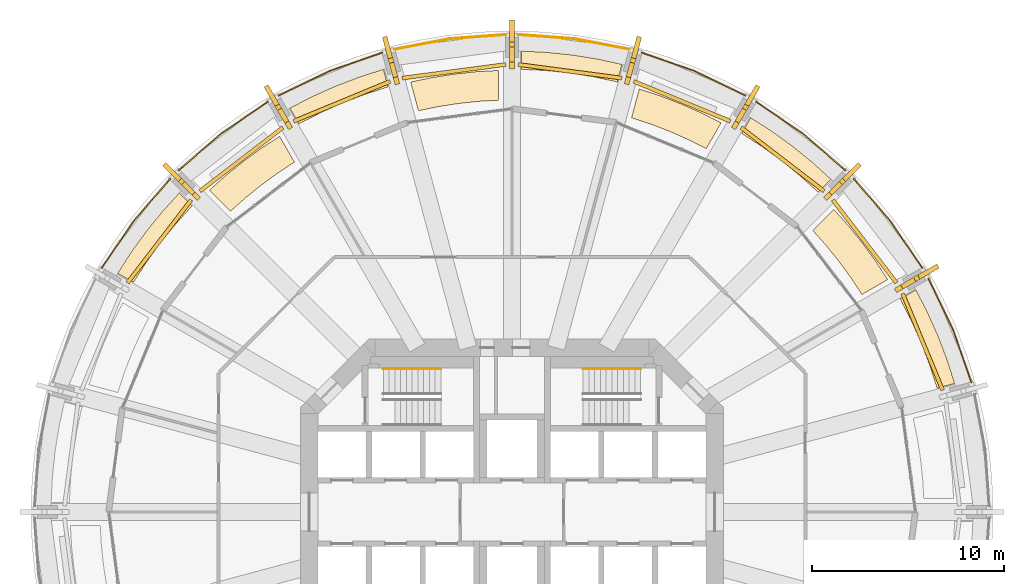
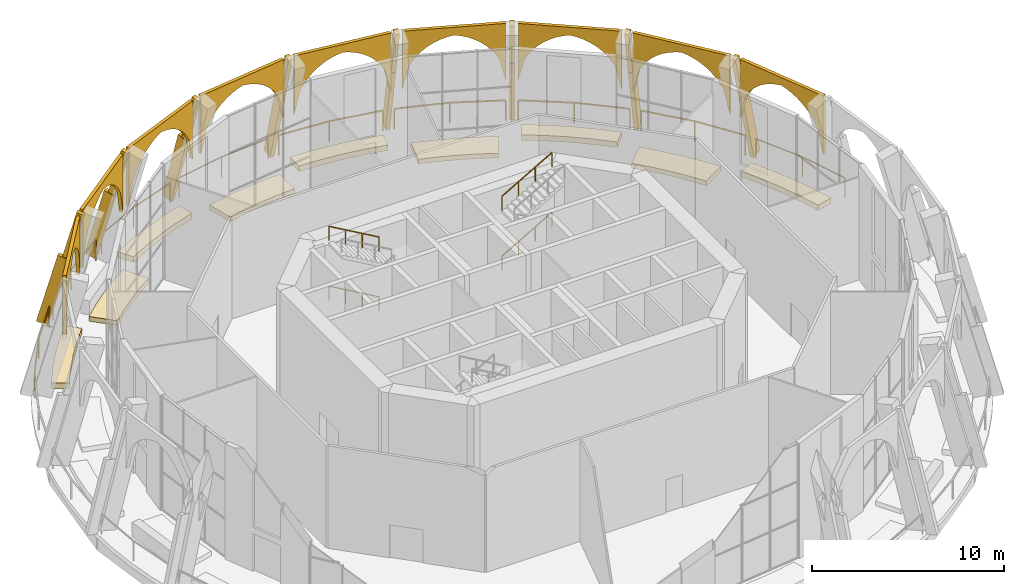
# One storey, part 18 of 18: 34 coverings, 13 railings.
"""IFC4 building model written with IfcOpenShell, lengths in metres."""

from ifc_helpers import new_model, si_unit, direction, frame, origin, origin_2d, place, context, subcontext, project, spatial, polyline, rectangle, outline, extrude, material, layer, layer_set, material_profile, profile_set, type_object, element, save


model = new_model("IFC4")

# Units and contexts
model_context = context("Model", 3, precision=1e-05, world=origin(), true_north=direction((0.0, 1.0)))
body_context = subcontext(model_context, "Body", "Model", "MODEL_VIEW")
ifc_project = project(units=[si_unit("LENGTHUNIT", "METRE"), si_unit("AREAUNIT", "SQUARE_METRE"), si_unit("VOLUMEUNIT", "CUBIC_METRE"), si_unit("PLANEANGLEUNIT", "RADIAN"), si_unit("MASSUNIT", "GRAM", prefix="KILO")], contexts=[model_context])

# Site, building, storey
site_placement = place(None, origin())
site = spatial("IfcSite", under=ifc_project, at=site_placement, CompositionType="ELEMENT")
building_placement = place(site_placement, origin())
building = spatial("IfcBuilding", under=site, at=building_placement, Name="Torre Triforio", CompositionType="ELEMENT")
storey_placement = place(building_placement, frame((0.0, 0.0, 146.60009765625)))
storey = spatial("IfcBuildingStorey", under=building, at=storey_placement, Name="L33", CompositionType="ELEMENT", Elevation=146.60009765625)

# Railings
ifc_material_1 = material(Name="Stainless steel AISI 316", Category="steel")
railing_type_1 = type_object("IfcRailingType", Name="HANDRAIL 920", PredefinedType="HANDRAIL", material=ifc_material_1)
for number, where, name in (
    (1, (-3.699951171875, 7.449951171875, 2.072509765625), "Handrail ST1"),
    (2, (-3.699951171875, 7.449951171875, 5.87255859375), "Handrail ST1"),
):
    element("IfcRailing", number, at=place(storey_placement, frame(where)), inside=storey, type_object=railing_type_1, Name=name, PredefinedType="HANDRAIL", context=body_context, shape_type="SweptSolid", body=[
        extrude(rectangle(XDim=0.048095703125, YDim=0.048095703125, at=origin_2d()), frame((0.0, 0.0, 0.89599609375), z_axis=(-0.866619684472, 0.0, 0.498969260062), x_axis=(0.0, -1.0, 0.0)), (0.0, 0.0, 1.0), 3.461669921875),
        extrude(rectangle(XDim=0.0419921875, YDim=0.0419921875, at=origin_2d()), origin(), (0.0, 0.0, 1.0), 0.871826171875),
        extrude(rectangle(XDim=0.0419921875, YDim=0.0419921875, at=origin_2d()), frame((-1.0, 0.0, 0.57568359375)), (0.0, 0.0, 1.0), 0.871826171875),
        extrude(rectangle(XDim=0.0419921875, YDim=0.0419921875, at=origin_2d()), frame((-2.0, 0.0, 1.151611328125)), (0.0, 0.0, 1.0), 0.871826171875),
        extrude(rectangle(XDim=0.0419921875, YDim=0.0419921875, at=origin_2d()), frame((-3.0, 0.0, 1.727294921875)), (0.0, 0.0, 1.0), 0.871826171875),
    ])
for number, where, name in (
    (3, (3.699951171875, 7.449951171875, 2.072509765625), "Handrail ST2"),
    (4, (3.699951171875, 7.449951171875, 5.87255859375), "Handrail ST2"),
):
    element("IfcRailing", number, at=place(storey_placement, frame(where)), inside=storey, type_object=railing_type_1, Name=name, PredefinedType="HANDRAIL", context=body_context, shape_type="SweptSolid", body=[
        extrude(rectangle(XDim=0.048095703125, YDim=0.048095703125, at=origin_2d()), frame((0.0, 0.0, 0.89599609375), z_axis=(0.866619684472, 0.0, 0.498969260062), x_axis=(0.0, 1.0, 0.0)), (0.0, 0.0, 1.0), 3.461669921875),
        extrude(rectangle(XDim=0.0419921875, YDim=0.0419921875, at=origin_2d()), origin(), (0.0, 0.0, 1.0), 0.871826171875),
        extrude(rectangle(XDim=0.0419921875, YDim=0.0419921875, at=origin_2d()), frame((1.0, 0.0, 0.57568359375)), (0.0, 0.0, 1.0), 0.871826171875),
        extrude(rectangle(XDim=0.0419921875, YDim=0.0419921875, at=origin_2d()), frame((2.0, 0.0, 1.151611328125)), (0.0, 0.0, 1.0), 0.871826171875),
        extrude(rectangle(XDim=0.0419921875, YDim=0.0419921875, at=origin_2d()), frame((3.0, 0.0, 1.727294921875)), (0.0, 0.0, 1.0), 0.871826171875),
    ])

# Coverings
ifc_material_2 = material(Name="Limestone arch panel", Category="masonry")
ifc_layer_1 = layer(ifc_material_2, 0.199951171875)
ifc_layer_set_1 = layer_set([ifc_layer_1], Name="Limestone arch panel")
covering_type_1 = type_object("IfcCoveringType", Name="Lancet arch cladding panel 200", PredefinedType="CLADDING", material=ifc_layer_set_1)
for number, where, z_axis, x_axis, name in (
    (5, (21.288330078125, 8.818115234375, 0.0), (0.924120904221, 0.382100188932, 0.0), (-0.382100188932, 0.924120904221, 0.0), "Lancet arch panel L33 bay 02"),
    (6, (18.28076171875, 14.02734375, 0.0), (0.793213368033, 0.608943800998, 0.0), (-0.608943800998, 0.793213368033, 0.0), "Lancet arch panel L33 bay 03"),
    (7, (14.02734375, 18.28076171875, 0.0), (0.608943800998, 0.793213368033, 0.0), (-0.793213368033, 0.608943800998, 0.0), "Lancet arch panel L33 bay 04"),
    (8, (8.818115234375, 21.288330078125, 0.0), (0.382100188932, 0.924120904221, 0.0), (-0.924120904221, 0.382100188932, 0.0), "Lancet arch panel L33 bay 05"),
):
    element("IfcCovering", number, at=place(storey_placement, frame(where, z_axis=z_axis, x_axis=x_axis)), inside=storey, type_object=covering_type_1, Name=name, PredefinedType="CLADDING", context=body_context, shape_type="SweptSolid", body=[
        extrude(outline(polyline([(-2.72412109375, 7.320068359375), (-2.72412109375, 3.605712890625), (-2.383544921875, 5.055908203125), (-2.04296875, 5.59912109375), (-1.702392578125, 5.97509765625), (-1.362060546875, 6.25537109375), (-1.021484375, 6.468505859375), (-0.680908203125, 6.62890625), (-0.340576171875, 6.744384765625), (0.0, 6.820068359375), (0.340576171875, 6.744384765625), (0.680908203125, 6.62890625), (1.021484375, 6.468505859375), (1.362060546875, 6.25537109375), (1.702392578125, 5.97509765625), (2.04296875, 5.59912109375), (2.383544921875, 5.055908203125), (2.72412109375, 3.605712890625), (2.72412109375, 7.320068359375), (-2.72412109375, 7.320068359375)])), origin(), (0.0, 0.0, 1.0), 0.199951171875),
    ])
for number, where, z_axis, x_axis, name in (
    (9, (3.007568359375, 22.84521484375, 0.0), (0.130486058348, 0.991450144272, 0.0), (-0.991450144272, 0.130486058348, 0.0), "Lancet arch panel L33 bay 06"),
    (10, (-3.007568359375, 22.84521484375, 0.0), (-0.130486058348, 0.991450144272, 0.0), (-0.991450144272, -0.130486058348, 0.0), "Lancet arch panel L33 bay 07"),
):
    element("IfcCovering", number, at=place(storey_placement, frame(where, z_axis=z_axis, x_axis=x_axis)), inside=storey, type_object=covering_type_1, Name=name, PredefinedType="CLADDING", context=body_context, shape_type="SweptSolid", body=[
        extrude(outline(polyline([(-2.72412109375, 7.320068359375), (-2.72412109375, 3.605712890625), (-2.383544921875, 5.055908203125), (-2.04296875, 5.59912109375), (-1.702392578125, 5.97509765625), (-1.362060546875, 6.25537109375), (-1.021484375, 6.468505859375), (-0.680908203125, 6.62890625), (-0.340576171875, 6.744384765625), (0.0, 6.820068359375), (0.340576171875, 6.744384765625), (0.680908203125, 6.62890625), (1.021484375, 6.468505859375), (1.362060546875, 6.25537109375), (1.702392578125, 5.97509765625), (2.04296875, 5.59912109375), (2.383544921875, 5.055908203125), (2.72412109375, 3.605712890625), (2.72412109375, 7.320068359375), (-2.72412109375, 7.320068359375)])), origin(), (0.0, 0.0, 1.0), 0.2001953125),
    ])
for number, where, z_axis, x_axis, name in (
    (11, (-8.818115234375, 21.288330078125, 0.0), (-0.382100188932, 0.924120904221, 0.0), (-0.924120904221, -0.382100188932, 0.0), "Lancet arch panel L33 bay 08"),
    (12, (-14.02734375, 18.28076171875, 0.0), (-0.608943800998, 0.793213368033, 0.0), (-0.793213368033, -0.608943800998, 0.0), "Lancet arch panel L33 bay 09"),
    (13, (-18.28076171875, 14.02734375, 0.0), (-0.793213368033, 0.608943800998, 0.0), (-0.608943800998, -0.793213368033, 0.0), "Lancet arch panel L33 bay 10"),
):
    element("IfcCovering", number, at=place(storey_placement, frame(where, z_axis=z_axis, x_axis=x_axis)), inside=storey, type_object=covering_type_1, Name=name, PredefinedType="CLADDING", context=body_context, shape_type="SweptSolid", body=[
        extrude(outline(polyline([(-2.72412109375, 7.320068359375), (-2.72412109375, 3.605712890625), (-2.383544921875, 5.055908203125), (-2.04296875, 5.59912109375), (-1.702392578125, 5.97509765625), (-1.362060546875, 6.25537109375), (-1.021484375, 6.468505859375), (-0.680908203125, 6.62890625), (-0.340576171875, 6.744384765625), (0.0, 6.820068359375), (0.340576171875, 6.744384765625), (0.680908203125, 6.62890625), (1.021484375, 6.468505859375), (1.362060546875, 6.25537109375), (1.702392578125, 5.97509765625), (2.04296875, 5.59912109375), (2.383544921875, 5.055908203125), (2.72412109375, 3.605712890625), (2.72412109375, 7.320068359375), (-2.72412109375, 7.320068359375)])), origin(), (0.0, 0.0, 1.0), 0.199951171875),
    ])

# Railings
railing_type_2 = type_object("IfcRailingType", Name="Loggia guard 1300", PredefinedType="GUARDRAIL", material=ifc_material_1)
railing_1_placement = place(storey_placement, frame((23.92041015625, 6.74072265625, 0.0)))
element("IfcRailing", 14, at=railing_1_placement, inside=storey, type_object=railing_type_2, Name="Loggia guard L33 bay 02", PredefinedType="GUARDRAIL", context=body_context, shape_type="SweptSolid", body=[
    extrude(rectangle(XDim=0.050048828125, YDim=0.050048828125, at=origin_2d()), frame((0.0, 0.0, 1.27490234375), z_axis=(-0.328145883403, 0.944627058264, 0.0), x_axis=(-0.944627058264, -0.328145883403, 0.0)), (0.0, 0.0, 1.0), 2.931396484375),
    extrude(rectangle(XDim=0.050048828125, YDim=0.050048828125, at=origin_2d()), frame((-0.9619140625, 2.76904296875, 1.27490234375), z_axis=(-0.435917913275, 0.899986429279, 0.0), x_axis=(-0.899986429279, -0.435917913275, 0.0)), (0.0, 0.0, 1.0), 2.931396484375),
    extrude(rectangle(XDim=0.0400390625, YDim=0.0400390625, at=origin_2d()), origin(), (0.0, 0.0, 1.0), 1.25),
    extrude(rectangle(XDim=0.0400390625, YDim=0.0400390625, at=origin_2d()), frame((-0.9619140625, 2.76904296875, 0.0)), (0.0, 0.0, 1.0), 1.25),
    extrude(rectangle(XDim=0.0400390625, YDim=0.0400390625, at=origin_2d()), frame((-2.23974609375, 5.4072265625, 0.0)), (0.0, 0.0, 1.0), 1.25),
])
railing_2_placement = place(storey_placement, frame((21.360595703125, 12.7021484375, 0.0)))
element("IfcRailing", 15, at=railing_2_placement, inside=storey, type_object=railing_type_2, Name="Loggia guard L33 bay 03", PredefinedType="GUARDRAIL", context=body_context, shape_type="SweptSolid", body=[
    extrude(rectangle(XDim=0.050048828125, YDim=0.050048828125, at=origin_2d()), frame((0.0, 0.0, 1.27490234375), z_axis=(-0.561466791934, 0.827499269821, 0.0), x_axis=(-0.827499269821, -0.561466791934, 0.0)), (0.0, 0.0, 1.0), 2.93115234375),
    extrude(rectangle(XDim=0.050048828125, YDim=0.050048828125, at=origin_2d()), frame((-1.645751953125, 2.425537109375, 1.27490234375), z_axis=(-0.653981928353, 0.756510170049, 0.0), x_axis=(-0.756510170049, -0.653981928353, 0.0)), (0.0, 0.0, 1.0), 2.93115234375),
    extrude(rectangle(XDim=0.0400390625, YDim=0.0400390625, at=origin_2d()), origin(), (0.0, 0.0, 1.0), 1.25),
    extrude(rectangle(XDim=0.0400390625, YDim=0.0400390625, at=origin_2d()), frame((-1.645751953125, 2.425537109375, 0.0)), (0.0, 0.0, 1.0), 1.25),
    extrude(rectangle(XDim=0.0400390625, YDim=0.0400390625, at=origin_2d()), frame((-3.562744140625, 4.64306640625, 0.0)), (0.0, 0.0, 1.0), 1.25),
])
railing_3_placement = place(storey_placement, frame((17.34521484375, 17.7978515625, 0.0)))
element("IfcRailing", 16, at=railing_3_placement, inside=storey, type_object=railing_type_2, Name="Loggia guard L33 bay 04", PredefinedType="GUARDRAIL", context=body_context, shape_type="SweptSolid", body=[
    extrude(rectangle(XDim=0.050048828125, YDim=0.050048828125, at=origin_2d()), frame((0.0, 0.0, 1.27490234375), z_axis=(-0.756510170049, 0.653981928353, 0.0), x_axis=(-0.653981928353, -0.756510170049, 0.0)), (0.0, 0.0, 1.0), 2.93115234375),
    extrude(rectangle(XDim=0.050048828125, YDim=0.050048828125, at=origin_2d()), frame((-2.217529296875, 1.9169921875, 1.27490234375), z_axis=(-0.827499269821, 0.561466791934, 0.0), x_axis=(-0.561466791934, -0.827499269821, 0.0)), (0.0, 0.0, 1.0), 2.93115234375),
    extrude(rectangle(XDim=0.0400390625, YDim=0.0400390625, at=origin_2d()), origin(), (0.0, 0.0, 1.0), 1.25),
    extrude(rectangle(XDim=0.0400390625, YDim=0.0400390625, at=origin_2d()), frame((-2.217529296875, 1.9169921875, 0.0)), (0.0, 0.0, 1.0), 1.25),
    extrude(rectangle(XDim=0.0400390625, YDim=0.0400390625, at=origin_2d()), frame((-4.64306640625, 3.562744140625, 0.0)), (0.0, 0.0, 1.0), 1.25),
])
railing_4_placement = place(storey_placement, frame((12.14794921875, 21.6806640625, 0.0)))
element("IfcRailing", 17, at=railing_4_placement, inside=storey, type_object=railing_type_2, Name="Loggia guard L33 bay 05", PredefinedType="GUARDRAIL", context=body_context, shape_type="SweptSolid", body=[
    extrude(rectangle(XDim=0.050048828125, YDim=0.050048828125, at=origin_2d()), frame((0.0, 0.0, 1.27490234375), z_axis=(-0.899986429279, 0.435917913275, 0.0), x_axis=(-0.435917913275, -0.899986429279, 0.0)), (0.0, 0.0, 1.0), 2.931396484375),
    extrude(rectangle(XDim=0.050048828125, YDim=0.050048828125, at=origin_2d()), frame((-2.63818359375, 1.27783203125, 1.27490234375), z_axis=(-0.944627058264, 0.328145883403, 0.0), x_axis=(-0.328145883403, -0.944627058264, 0.0)), (0.0, 0.0, 1.0), 2.931396484375),
    extrude(rectangle(XDim=0.0400390625, YDim=0.0400390625, at=origin_2d()), origin(), (0.0, 0.0, 1.0), 1.25),
    extrude(rectangle(XDim=0.0400390625, YDim=0.0400390625, at=origin_2d()), frame((-2.63818359375, 1.27783203125, 0.0)), (0.0, 0.0, 1.0), 1.25),
    extrude(rectangle(XDim=0.0400390625, YDim=0.0400390625, at=origin_2d()), frame((-5.4072265625, 2.23974609375, 0.0)), (0.0, 0.0, 1.0), 1.25),
])
railing_5_placement = place(storey_placement, frame((6.12255859375, 24.086181640625, 0.0)))
element("IfcRailing", 18, at=railing_5_placement, inside=storey, type_object=railing_type_2, Name="Loggia guard L33 bay 06", PredefinedType="GUARDRAIL", context=body_context, shape_type="SweptSolid", body=[
    extrude(rectangle(XDim=0.050048828125, YDim=0.050048828125, at=origin_2d()), frame((0.0, 0.0, 1.27490234375), z_axis=(-0.982155846568, 0.188068851895, 0.0), x_axis=(-0.188068851895, -0.982155846568, 0.0)), (0.0, 0.0, 1.0), 2.93115234375),
    extrude(rectangle(XDim=0.050048828125, YDim=0.050048828125, at=origin_2d()), frame((-2.87890625, 0.55126953125, 1.27490234375), z_axis=(-0.997365269168, 0.072543227511, 0.0), x_axis=(-0.072543227511, -0.997365269168, 0.0)), (0.0, 0.0, 1.0), 2.931396484375),
    extrude(rectangle(XDim=0.0400390625, YDim=0.0400390625, at=origin_2d()), origin(), (0.0, 0.0, 1.0), 1.25),
    extrude(rectangle(XDim=0.0400390625, YDim=0.0400390625, at=origin_2d()), frame((-2.87890625, 0.55126953125, 0.0)), (0.0, 0.0, 1.0), 1.25),
    extrude(rectangle(XDim=0.0400390625, YDim=0.0400390625, at=origin_2d()), frame((-5.802490234375, 0.763916015625, 0.0)), (0.0, 0.0, 1.0), 1.25),
])
railing_6_placement = place(storey_placement, frame((-0.320068359375, 24.85009765625, 0.0)))
element("IfcRailing", 19, at=railing_6_placement, inside=storey, type_object=railing_type_2, Name="Loggia guard L33 bay 07", PredefinedType="GUARDRAIL", context=body_context, shape_type="SweptSolid", body=[
    extrude(rectangle(XDim=0.050048828125, YDim=0.050048828125, at=origin_2d()), frame((0.0, 0.0, 1.27490234375), z_axis=(-0.997365269168, -0.072543227511, 0.0), x_axis=(0.072543227511, -0.997365269168, 0.0)), (0.0, 0.0, 1.0), 2.931396484375),
    extrude(rectangle(XDim=0.050048828125, YDim=0.050048828125, at=origin_2d()), frame((-2.923583984375, -0.212646484375, 1.27490234375), z_axis=(-0.982155846568, -0.188068851895, 0.0), x_axis=(0.188068851895, -0.982155846568, 0.0)), (0.0, 0.0, 1.0), 2.93115234375),
    extrude(rectangle(XDim=0.0400390625, YDim=0.0400390625, at=origin_2d()), origin(), (0.0, 0.0, 1.0), 1.25),
    extrude(rectangle(XDim=0.0400390625, YDim=0.0400390625, at=origin_2d()), frame((-2.923583984375, -0.212646484375, 0.0)), (0.0, 0.0, 1.0), 1.25),
    extrude(rectangle(XDim=0.0400390625, YDim=0.0400390625, at=origin_2d()), frame((-5.802490234375, -0.763916015625, 0.0)), (0.0, 0.0, 1.0), 1.25),
])
railing_7_placement = place(storey_placement, frame((-6.74072265625, 23.92041015625, 0.0)))
element("IfcRailing", 20, at=railing_7_placement, inside=storey, type_object=railing_type_2, Name="Loggia guard L33 bay 08", PredefinedType="GUARDRAIL", context=body_context, shape_type="SweptSolid", body=[
    extrude(rectangle(XDim=0.050048828125, YDim=0.050048828125, at=origin_2d()), frame((0.0, 0.0, 1.27490234375), z_axis=(-0.944627058264, -0.328145883403, 0.0), x_axis=(0.328145883403, -0.944627058264, 0.0)), (0.0, 0.0, 1.0), 2.931396484375),
    extrude(rectangle(XDim=0.050048828125, YDim=0.050048828125, at=origin_2d()), frame((-2.76904296875, -0.9619140625, 1.27490234375), z_axis=(-0.899986429279, -0.435917913275, 0.0), x_axis=(0.435917913275, -0.899986429279, 0.0)), (0.0, 0.0, 1.0), 2.931396484375),
    extrude(rectangle(XDim=0.0400390625, YDim=0.0400390625, at=origin_2d()), origin(), (0.0, 0.0, 1.0), 1.25),
    extrude(rectangle(XDim=0.0400390625, YDim=0.0400390625, at=origin_2d()), frame((-2.76904296875, -0.9619140625, 0.0)), (0.0, 0.0, 1.0), 1.25),
    extrude(rectangle(XDim=0.0400390625, YDim=0.0400390625, at=origin_2d()), frame((-5.4072265625, -2.23974609375, 0.0)), (0.0, 0.0, 1.0), 1.25),
])
railing_8_placement = place(storey_placement, frame((-12.7021484375, 21.360595703125, 0.0)))
element("IfcRailing", 21, at=railing_8_placement, inside=storey, type_object=railing_type_2, Name="Loggia guard L33 bay 09", PredefinedType="GUARDRAIL", context=body_context, shape_type="SweptSolid", body=[
    extrude(rectangle(XDim=0.050048828125, YDim=0.050048828125, at=origin_2d()), frame((0.0, 0.0, 1.27490234375), z_axis=(-0.827499269821, -0.561466791934, 0.0), x_axis=(0.561466791934, -0.827499269821, 0.0)), (0.0, 0.0, 1.0), 2.93115234375),
    extrude(rectangle(XDim=0.050048828125, YDim=0.050048828125, at=origin_2d()), frame((-2.425537109375, -1.645751953125, 1.27490234375), z_axis=(-0.756510170049, -0.653981928353, 0.0), x_axis=(0.653981928353, -0.756510170049, 0.0)), (0.0, 0.0, 1.0), 2.93115234375),
    extrude(rectangle(XDim=0.0400390625, YDim=0.0400390625, at=origin_2d()), origin(), (0.0, 0.0, 1.0), 1.25),
    extrude(rectangle(XDim=0.0400390625, YDim=0.0400390625, at=origin_2d()), frame((-2.425537109375, -1.645751953125, 0.0)), (0.0, 0.0, 1.0), 1.25),
    extrude(rectangle(XDim=0.0400390625, YDim=0.0400390625, at=origin_2d()), frame((-4.64306640625, -3.562744140625, 0.0)), (0.0, 0.0, 1.0), 1.25),
])
railing_9_placement = place(storey_placement, frame((-17.7978515625, 17.34521484375, 0.0)))
element("IfcRailing", 22, at=railing_9_placement, inside=storey, type_object=railing_type_2, Name="Loggia guard L33 bay 10", PredefinedType="GUARDRAIL", context=body_context, shape_type="SweptSolid", body=[
    extrude(rectangle(XDim=0.050048828125, YDim=0.050048828125, at=origin_2d()), frame((0.0, 0.0, 1.27490234375), z_axis=(-0.653981928353, -0.756510170049, 0.0), x_axis=(0.756510170049, -0.653981928353, 0.0)), (0.0, 0.0, 1.0), 2.93115234375),
    extrude(rectangle(XDim=0.050048828125, YDim=0.050048828125, at=origin_2d()), frame((-1.9169921875, -2.217529296875, 1.27490234375), z_axis=(-0.561466791934, -0.827499269821, 0.0), x_axis=(0.827499269821, -0.561466791934, 0.0)), (0.0, 0.0, 1.0), 2.93115234375),
    extrude(rectangle(XDim=0.0400390625, YDim=0.0400390625, at=origin_2d()), origin(), (0.0, 0.0, 1.0), 1.25),
    extrude(rectangle(XDim=0.0400390625, YDim=0.0400390625, at=origin_2d()), frame((-1.9169921875, -2.217529296875, 0.0)), (0.0, 0.0, 1.0), 1.25),
    extrude(rectangle(XDim=0.0400390625, YDim=0.0400390625, at=origin_2d()), frame((-3.562744140625, -4.64306640625, 0.0)), (0.0, 0.0, 1.0), 1.25),
])

# Coverings
ifc_material_3 = material(Name="Planted topsoil bed")
ifc_layer_2 = layer(ifc_material_3, 0.300048828125)
ifc_layer_set_2 = layer_set([ifc_layer_2], Name="Planted topsoil bed")
covering_type_2 = type_object("IfcCoveringType", Name="Planted bed 300", PredefinedType="FLOORING", material=ifc_layer_set_2)
covering_1_placement = place(storey_placement, origin())
element("IfcCovering", 23, at=covering_1_placement, inside=storey, type_object=covering_type_2, Name="Sky garden L33 planted bed 03", PredefinedType="FLOORING", context=body_context, shape_type="SweptSolid", body=[
    extrude(outline(polyline([(18.216552734375, 11.3251953125), (17.63818359375, 12.206298828125), (17.017333984375, 13.057861328125), (16.35546875, 13.8779296875), (15.654052734375, 14.664794921875), (16.750732421875, 15.76123046875), (17.52099609375, 14.900146484375), (18.2470703125, 14.00146484375), (18.92724609375, 13.067626953125), (19.5595703125, 12.1005859375), (18.216552734375, 11.3251953125)])), origin(), (0.0, 0.0, 1.0), 0.2998046875),
])
covering_2_placement = place(storey_placement, origin())
element("IfcCovering", 24, at=covering_2_placement, inside=storey, type_object=covering_type_2, Name="Sky garden L33 planted bed 05", PredefinedType="FLOORING", context=body_context, shape_type="SweptSolid", body=[
    extrude(outline(polyline([(10.11328125, 18.916259765625), (9.172119140625, 19.39013671875), (8.20849609375, 19.817138671875), (7.225341796875, 20.196533203125), (6.224609375, 20.527099609375), (6.6259765625, 22.02490234375), (7.7236328125, 21.664306640625), (8.8017578125, 21.249267578125), (9.857666015625, 20.780517578125), (10.888671875, 20.25927734375), (10.11328125, 18.916259765625)])), origin(), (0.0, 0.0, 1.0), 0.2998046875),
])
covering_3_placement = place(storey_placement, origin())
element("IfcCovering", 25, at=covering_3_placement, inside=storey, type_object=covering_type_2, Name="Sky garden L33 planted bed 07", PredefinedType="FLOORING", context=body_context, shape_type="SweptSolid", body=[
    extrude(outline(polyline([(-0.69970703125, 21.438720703125), (-1.751708984375, 21.37841796875), (-2.7998046875, 21.2666015625), (-3.841064453125, 21.103271484375), (-4.872802734375, 20.88916015625), (-5.274169921875, 22.38720703125), (-4.143310546875, 22.623779296875), (-3.002197265625, 22.80322265625), (-1.853271484375, 22.92529296875), (-0.69970703125, 22.989501953125), (-0.69970703125, 21.438720703125)])), origin(), (0.0, 0.0, 1.0), 0.2998046875),
])
covering_4_placement = place(storey_placement, origin())
element("IfcCovering", 26, at=covering_4_placement, inside=storey, type_object=covering_type_2, Name="Sky garden L33 planted bed 09", PredefinedType="FLOORING", context=body_context, shape_type="SweptSolid", body=[
    extrude(outline(polyline([(-11.3251953125, 18.216552734375), (-12.206298828125, 17.63818359375), (-13.057861328125, 17.017333984375), (-13.8779296875, 16.35546875), (-14.664794921875, 15.654052734375), (-15.76123046875, 16.750732421875), (-14.900146484375, 17.52099609375), (-14.00146484375, 18.2470703125), (-13.067626953125, 18.92724609375), (-12.1005859375, 19.5595703125), (-11.3251953125, 18.216552734375)])), origin(), (0.0, 0.0, 1.0), 0.2998046875),
])
ifc_layer_3 = layer(ifc_material_3, 0.35009765625)
ifc_layer_set_3 = layer_set([ifc_layer_3], Name="Planted topsoil bed")
covering_type_3 = type_object("IfcCoveringType", Name="Planted terrace ledge 350", PredefinedType="FLOORING", material=ifc_layer_set_3)
covering_5_placement = place(storey_placement, origin())
element("IfcCovering", 27, at=covering_5_placement, inside=storey, type_object=covering_type_3, Name="Planted terrace ledge L33 bay 02", PredefinedType="FLOORING", context=body_context, shape_type="SweptSolid", body=[
    extrude(outline(polyline([(22.1298828125, 6.447265625), (21.7451171875, 7.6455078125), (21.29541015625, 8.82080078125), (20.7822265625, 9.969970703125), (20.20703125, 11.08935546875), (21.030029296875, 11.564453125), (21.63427734375, 10.39013671875), (22.173095703125, 9.184326171875), (22.644775390625, 7.95068359375), (23.0478515625, 6.693115234375), (22.1298828125, 6.447265625)])), origin(), (0.0, 0.0, 1.0), 0.349853515625),
])
covering_6_placement = place(storey_placement, origin())
element("IfcCovering", 28, at=covering_6_placement, inside=storey, type_object=covering_type_3, Name="Planted terrace ledge L33 bay 04", PredefinedType="FLOORING", context=body_context, shape_type="SweptSolid", body=[
    extrude(outline(polyline([(15.94140625, 16.6484375), (15.009033203125, 17.49365234375), (14.031982421875, 18.286865234375), (13.012939453125, 19.025390625), (11.955078125, 19.707275390625), (12.430419921875, 20.5302734375), (13.540771484375, 19.815185546875), (14.6103515625, 19.04052734375), (15.635498046875, 18.2080078125), (16.61328125, 17.3203125), (15.94140625, 16.6484375)])), origin(), (0.0, 0.0, 1.0), 0.349853515625),
])
covering_7_placement = place(storey_placement, origin())
element("IfcCovering", 29, at=covering_7_placement, inside=storey, type_object=covering_type_3, Name="Planted terrace ledge L33 bay 06", PredefinedType="FLOORING", context=body_context, shape_type="SweptSolid", body=[
    extrude(outline(polyline([(5.4814453125, 22.388671875), (4.25146484375, 22.654541015625), (3.008544921875, 22.852783203125), (1.7568359375, 22.98291015625), (0.5, 23.044677734375), (0.5, 23.994873046875), (1.819091796875, 23.930908203125), (3.132568359375, 23.794677734375), (4.436767578125, 23.586181640625), (5.7275390625, 23.306640625), (5.4814453125, 22.388671875)])), origin(), (0.0, 0.0, 1.0), 0.349853515625),
])
covering_8_placement = place(storey_placement, origin())
element("IfcCovering", 30, at=covering_8_placement, inside=storey, type_object=covering_type_3, Name="Planted terrace ledge L33 bay 08", PredefinedType="FLOORING", context=body_context, shape_type="SweptSolid", body=[
    extrude(outline(polyline([(-6.447265625, 22.1298828125), (-7.6455078125, 21.7451171875), (-8.82080078125, 21.29541015625), (-9.969970703125, 20.7822265625), (-11.08935546875, 20.20703125), (-11.564453125, 21.030029296875), (-10.39013671875, 21.63427734375), (-9.184326171875, 22.173095703125), (-7.95068359375, 22.644775390625), (-6.693115234375, 23.0478515625), (-6.447265625, 22.1298828125)])), origin(), (0.0, 0.0, 1.0), 0.349853515625),
])
covering_9_placement = place(storey_placement, origin())
element("IfcCovering", 31, at=covering_9_placement, inside=storey, type_object=covering_type_3, Name="Planted terrace ledge L33 bay 10", PredefinedType="FLOORING", context=body_context, shape_type="SweptSolid", body=[
    extrude(outline(polyline([(-16.6484375, 15.94140625), (-17.49365234375, 15.009033203125), (-18.286865234375, 14.031982421875), (-19.025390625, 13.012939453125), (-19.707275390625, 11.955078125), (-20.5302734375, 12.430419921875), (-19.815185546875, 13.540771484375), (-19.04052734375, 14.6103515625), (-18.2080078125, 15.635498046875), (-17.3203125, 16.61328125), (-16.6484375, 15.94140625)])), origin(), (0.0, 0.0, 1.0), 0.349853515625),
])
ifc_material_4 = material(Name="Limestone fin", Category="masonry")
ifc_material_profile_1 = material_profile(ifc_material_4, rectangle(XDim=0.39990234375, YDim=0.25, at=origin_2d()), Name="FIN 400x250")
ifc_profile_set_1 = profile_set([ifc_material_profile_1], Name="Limestone fin")
covering_type_4 = type_object("IfcCoveringType", Name="Stone fin 400 x 250", PredefinedType="CLADDING", material=ifc_profile_set_1)
for number, where, z_axis, x_axis, name in (
    (32, (20.798828125, 12.00830078125, 4.391845703125), (-0.220378446807, -0.127324393527, 0.967068683701), (0.837359844453, 0.483787484226, 0.254515541773), "Stone fin C03 L33 upper"),
    (33, (16.982177734375, 16.982177734375, 4.391845703125), (-0.179979109192, -0.179979109192, 0.967065168698), (0.683818338636, 0.683818338636, 0.254528897163), "Stone fin C04 L33 upper"),
    (34, (12.00830078125, 20.798828125, 4.391845703125), (-0.127324393527, -0.220378446807, 0.967068683701), (0.483787484226, 0.837359844453, 0.254515541773), "Stone fin C05 L33 upper"),
    (35, (6.2158203125, 23.197998046875, 4.391845703125), (-0.065799111673, -0.245859670943, 0.967069542022), (0.250016685566, 0.934192247905, 0.254512280437), "Stone fin C06 L33 upper"),
    (36, (0.0, 24.016357421875, 4.391845703125), (0.0, -0.254489330115, 0.967075581771), (0.0, 0.967075581771, 0.254489330115), "Stone fin C07 L33 upper"),
    (37, (-6.2158203125, 23.197998046875, 4.391845703125), (0.065799111673, -0.245859670943, 0.967069542022), (-0.250016685566, 0.934192247905, 0.254512280437), "Stone fin C08 L33 upper"),
    (38, (-12.00830078125, 20.798828125, 4.391845703125), (0.127324393527, -0.220378446807, 0.967068683701), (-0.483787484226, 0.837359844453, 0.254515541773), "Stone fin C09 L33 upper"),
    (39, (-16.982177734375, 16.982177734375, 4.391845703125), (0.179979109192, -0.179979109192, 0.967065168698), (-0.683818338636, 0.683818338636, 0.254528897163), "Stone fin C10 L33 upper"),
):
    element("IfcCovering", number, at=place(storey_placement, frame(where, z_axis=z_axis, x_axis=x_axis)), inside=storey, type_object=covering_type_4, Name=name, PredefinedType="CLADDING", context=body_context, shape_type="SweptSolid", body=[
        extrude(rectangle(XDim=0.39990234375, YDim=0.25, at=origin_2d()), origin(), (0.0, 0.0, 1.0), 3.027587890625),
    ])
ifc_material_profile_2 = material_profile(ifc_material_4, rectangle(XDim=0.64990234375, YDim=0.25, at=origin_2d()), Name="FIN 650x250")
ifc_profile_set_2 = profile_set([ifc_material_profile_2], Name="Limestone fin")
covering_type_5 = type_object("IfcCoveringType", Name="Stone fin 650 x 250", PredefinedType="CLADDING", material=ifc_profile_set_2)
for number, where, z_axis, x_axis, name in (
    (40, (21.91162109375, 12.650634765625, 0.0), (-0.220412011371, -0.127247617296, 0.967071139646), (0.837520212705, 0.48351471792, 0.254506209873), "Stone fin C03 L33"),
    (41, (17.890869140625, 17.890869140625, 0.0), (-0.17998378757, -0.17998378757, 0.967063427301), (0.683817107282, 0.683817107282, 0.254535513389), "Stone fin C04 L33"),
    (42, (12.650634765625, 21.91162109375, 0.0), (-0.127247617296, -0.220412011371, 0.967071139646), (0.48351471792, 0.837520212705, 0.254506209873), "Stone fin C05 L33"),
):
    element("IfcCovering", number, at=place(storey_placement, frame(where, z_axis=z_axis, x_axis=x_axis)), inside=storey, type_object=covering_type_5, Name=name, PredefinedType="CLADDING", context=body_context, shape_type="SweptSolid", body=[
        extrude(rectangle(XDim=0.64990234375, YDim=0.25, at=origin_2d()), origin(), (0.0, 0.0, 1.0), 4.54150390625),
    ])
covering_10_placement = place(storey_placement, frame((6.548583984375, 24.439208984375, 0.0), z_axis=(-0.065909179602, -0.245788555581, 0.967080123873), x_axis=(0.250477224361, 0.93407982853, 0.254472069215)))
element("IfcCovering", 43, at=covering_10_placement, inside=storey, type_object=covering_type_5, Name="Stone fin C06 L33", PredefinedType="CLADDING", context=body_context, shape_type="SweptSolid", body=[
    extrude(rectangle(XDim=0.64990234375, YDim=0.25, at=origin_2d()), origin(), (0.0, 0.0, 1.0), 4.541259765625),
])
covering_11_placement = place(storey_placement, frame((0.0, 25.301513671875, 0.0), z_axis=(0.0, -0.254546221717, 0.967060608757), x_axis=(0.0, 0.967060608757, 0.254546221717)))
element("IfcCovering", 44, at=covering_11_placement, inside=storey, type_object=covering_type_5, Name="Stone fin C07 L33", PredefinedType="CLADDING", context=body_context, shape_type="SweptSolid", body=[
    extrude(rectangle(XDim=0.64990234375, YDim=0.25, at=origin_2d()), origin(), (0.0, 0.0, 1.0), 4.54150390625),
])
covering_12_placement = place(storey_placement, frame((-6.548583984375, 24.439208984375, 0.0), z_axis=(0.065909179602, -0.245788555581, 0.967080123873), x_axis=(-0.250477224361, 0.93407982853, 0.254472069215)))
element("IfcCovering", 45, at=covering_12_placement, inside=storey, type_object=covering_type_5, Name="Stone fin C08 L33", PredefinedType="CLADDING", context=body_context, shape_type="SweptSolid", body=[
    extrude(rectangle(XDim=0.64990234375, YDim=0.25, at=origin_2d()), origin(), (0.0, 0.0, 1.0), 4.541259765625),
])
for number, where, z_axis, x_axis, name in (
    (46, (-12.650634765625, 21.91162109375, 0.0), (0.127247617296, -0.220412011371, 0.967071139646), (-0.48351471792, 0.837520212705, 0.254506209873), "Stone fin C09 L33"),
    (47, (-17.890869140625, 17.890869140625, 0.0), (0.17998378757, -0.17998378757, 0.967063427301), (-0.683817107282, 0.683817107282, 0.254535513389), "Stone fin C10 L33"),
):
    element("IfcCovering", number, at=place(storey_placement, frame(where, z_axis=z_axis, x_axis=x_axis)), inside=storey, type_object=covering_type_5, Name=name, PredefinedType="CLADDING", context=body_context, shape_type="SweptSolid", body=[
        extrude(rectangle(XDim=0.64990234375, YDim=0.25, at=origin_2d()), origin(), (0.0, 0.0, 1.0), 4.54150390625),
    ])

save(model, "model.ifc")
